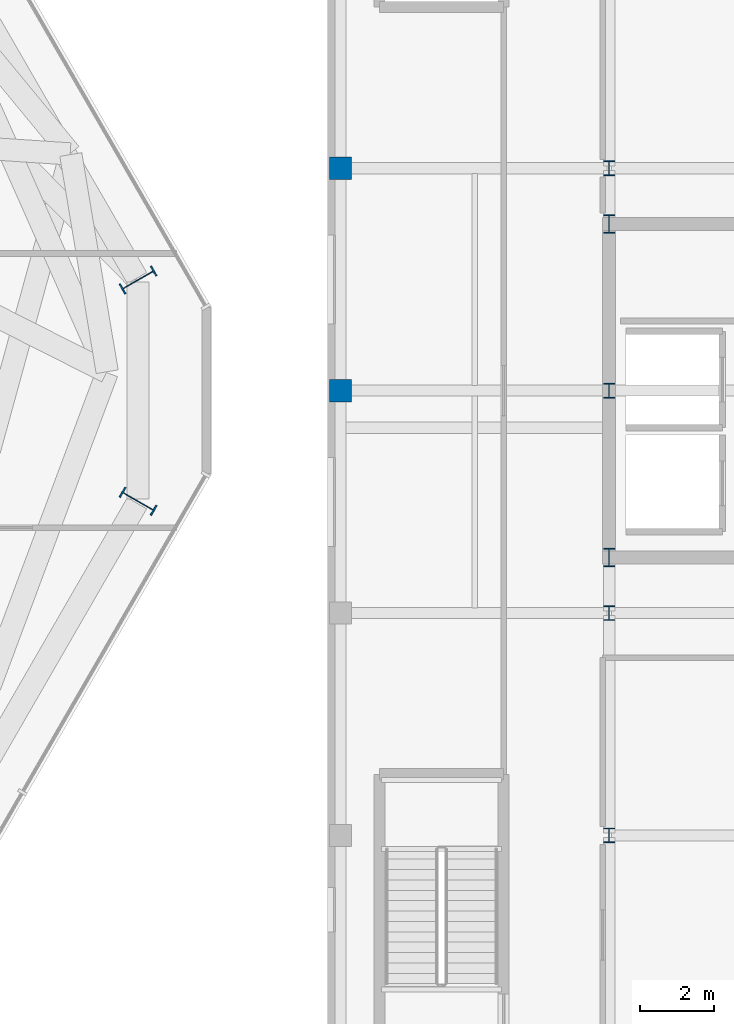
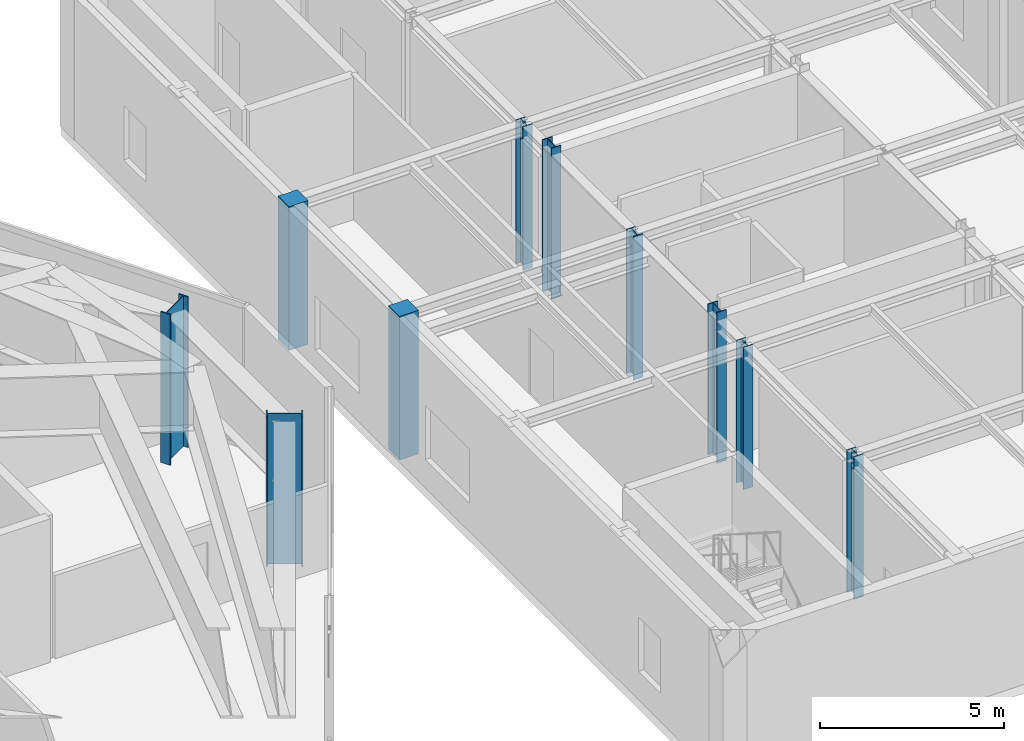
# One storey, part 2 of 16: 10 columns.
"""IFC4 building model written with IfcOpenShell, lengths in metres."""

from ifc_helpers import new_model, si_unit, direction, frame, origin, origin_2d, place, context, subcontext, project, spatial, rectangle, i_section, extrude, material, material_profile, profile_set, type_object, element, save


model = new_model("IFC4")

# Units and contexts
model_context = context("Model", 3, precision=1e-05, world=origin(), true_north=direction((0.0, 1.0)))
body_context = subcontext(model_context, "Body", "Model", "MODEL_VIEW")
ifc_project = project(units=[si_unit("LENGTHUNIT", "METRE"), si_unit("AREAUNIT", "SQUARE_METRE"), si_unit("VOLUMEUNIT", "CUBIC_METRE"), si_unit("PLANEANGLEUNIT", "RADIAN"), si_unit("MASSUNIT", "GRAM", prefix="KILO")], contexts=[model_context])

# Site, building, storey
site_placement = place(None, origin())
site = spatial("IfcSite", under=ifc_project, at=site_placement, CompositionType="ELEMENT")
building_placement = place(site_placement, origin())
building = spatial("IfcBuilding", under=site, at=building_placement, Name="Kranzbogen Civic Tower", CompositionType="ELEMENT")
storey_placement = place(building_placement, frame((0.0, 0.0, 19.0)))
storey = spatial("IfcBuildingStorey", under=building, at=storey_placement, Name="L04", CompositionType="ELEMENT", Elevation=19.0)

# Columns
ifc_material_1 = material(Name="Steel S355", Category="steel")
ifc_material_profile_1 = material_profile(ifc_material_1, i_section(OverallWidth=0.300048828125, OverallDepth=0.39990234375, WebThickness=0.013427734375, FlangeThickness=0.02392578125, at=origin_2d()), Name="HEB 400")
ifc_profile_set_1 = profile_set([ifc_material_profile_1], Name="Steel S355")
column_type_1 = type_object("IfcColumnType", Name="Structural Column HEB 400", PredefinedType="COLUMN", material=ifc_profile_set_1)
for number, where, z_axis, x_axis, name in (
    (1, (59.60009765625, 13.0, 0.0), (0.0, 0.0, 1.0), (1.0, 0.0, 0.0), "L04 Health Centre column 11/C"),
    (2, (59.60009765625, 19.0, 0.0), (0.0, 0.0, 1.0), (1.0, 0.0, 0.0), "L04 Health Centre column 11/D"),
):
    element("IfcColumn", number, at=place(storey_placement, frame(where, z_axis=z_axis, x_axis=x_axis)), inside=storey, type_object=column_type_1, Name=name, PredefinedType="COLUMN", context=body_context, shape_type="SweptSolid", body=[
        extrude(i_section(OverallWidth=0.300048828125, OverallDepth=0.39990234375, WebThickness=0.013427734375, FlangeThickness=0.02392578125, at=origin_2d()), origin(), (0.0, 0.0, 1.0), 4.72998046875),
    ])
for number, where, z_axis, x_axis, name in (
    (3, (59.60009765625, 25.0, 0.0), (0.0, 0.0, 1.0), (1.0, 0.0, 0.0), "L04 Health Centre column 11/E"),
    (4, (59.60009765625, 31.0, 0.0), (0.0, 0.0, 1.0), (1.0, 0.0, 0.0), "L04 Health Centre column 11/F"),
):
    element("IfcColumn", number, at=place(storey_placement, frame(where, z_axis=z_axis, x_axis=x_axis)), inside=storey, type_object=column_type_1, Name=name, PredefinedType="COLUMN", context=body_context, shape_type="SweptSolid", body=[
        extrude(i_section(OverallWidth=0.300048828125, OverallDepth=0.39990234375, WebThickness=0.013427734375, FlangeThickness=0.02392578125, at=origin_2d()), origin(), (0.0, 0.0, 1.0), 4.77001953125),
    ])
ifc_material_profile_2 = material_profile(ifc_material_1, i_section(OverallWidth=0.300048828125, OverallDepth=0.5, WebThickness=0.014404296875, FlangeThickness=0.028076171875, at=origin_2d()), Name="HEB 500")
ifc_profile_set_2 = profile_set([ifc_material_profile_2], Name="Steel S355")
column_type_2 = type_object("IfcColumnType", Name="Structural Column HEB 500", PredefinedType="COLUMN", material=ifc_profile_set_2)
for number, where, z_axis, x_axis, name in (
    (5, (59.60009765625, 20.5, 0.0), (0.0, 0.0, 1.0), (1.0, 0.0, 0.0), "L04 Health Centre core corner column 1"),
    (6, (59.60009765625, 29.5, 0.0), (0.0, 0.0, 1.0), (1.0, 0.0, 0.0), "L04 Health Centre core corner column 4"),
):
    element("IfcColumn", number, at=place(storey_placement, frame(where, z_axis=z_axis, x_axis=x_axis)), inside=storey, type_object=column_type_2, Name=name, PredefinedType="COLUMN", context=body_context, shape_type="SweptSolid", body=[
        extrude(i_section(OverallWidth=0.300048828125, OverallDepth=0.5, WebThickness=0.014404296875, FlangeThickness=0.028076171875, at=origin_2d()), origin(), (0.0, 0.0, 1.0), 5.0),
    ])
ifc_material_2 = material(Name="Steel S460", Category="steel")
ifc_material_profile_3 = material_profile(ifc_material_2, i_section(OverallWidth=0.302001953125, OverallDepth=1.008056640625, WebThickness=0.02099609375, FlangeThickness=0.0400390625, at=origin_2d()), Name="HEM 1000")
ifc_profile_set_3 = profile_set([ifc_material_profile_3], Name="Steel S460")
column_type_3 = type_object("IfcColumnType", Name="Structural Column HEM 1000", PredefinedType="COLUMN", material=ifc_profile_set_3)
for number, where, z_axis, x_axis, name in (
    (7, (46.889892578125, 27.986083984375, 0.0), (0.0, 0.0, 1.0), (-0.5, 0.866025403784, 0.0), "L04 tower perimeter tube column 01"),
    (8, (46.889892578125, 22.013916015625, 0.0), (0.0, 0.0, 1.0), (0.5, 0.866025403784, 0.0), "L04 tower perimeter tube column 12"),
):
    element("IfcColumn", number, at=place(storey_placement, frame(where, z_axis=z_axis, x_axis=x_axis)), inside=storey, type_object=column_type_3, Name=name, PredefinedType="COLUMN", context=body_context, shape_type="SweptSolid", body=[
        extrude(i_section(OverallWidth=0.302001953125, OverallDepth=1.008056640625, WebThickness=0.02099609375, FlangeThickness=0.0400390625, at=origin_2d()), origin(), (0.0, 0.0, 1.0), 5.0),
    ])
ifc_material_3 = material(Name="Concrete C40/50", Category="concrete")
ifc_material_profile_4 = material_profile(ifc_material_3, rectangle(XDim=0.60009765625, YDim=0.60009765625, at=origin_2d()), Name="RC 600x600")
ifc_profile_set_4 = profile_set([ifc_material_profile_4], Name="Concrete C40/50")
column_type_4 = type_object("IfcColumnType", Name="Structural Column RC 600x600", PredefinedType="COLUMN", material=ifc_profile_set_4)
for number, where, z_axis, x_axis, name in (
    (9, (52.35009765625, 25.0, 0.0), (0.0, 0.0, 1.0), (1.0, 0.0, 0.0), "L04 Health Centre column 10/E"),
    (10, (52.35009765625, 31.0, 0.0), (0.0, 0.0, 1.0), (1.0, 0.0, 0.0), "L04 Health Centre column 10/F"),
):
    element("IfcColumn", number, at=place(storey_placement, frame(where, z_axis=z_axis, x_axis=x_axis)), inside=storey, type_object=column_type_4, Name=name, PredefinedType="COLUMN", context=body_context, shape_type="SweptSolid", body=[
        extrude(rectangle(XDim=0.60009765625, YDim=0.60009765625, at=origin_2d()), origin(), (0.0, 0.0, 1.0), 4.77001953125),
    ])

save(model, "model.ifc")
